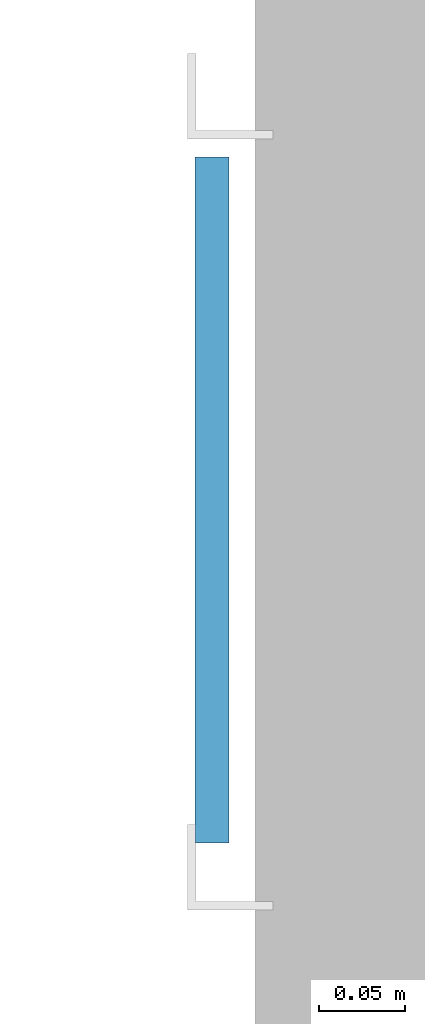
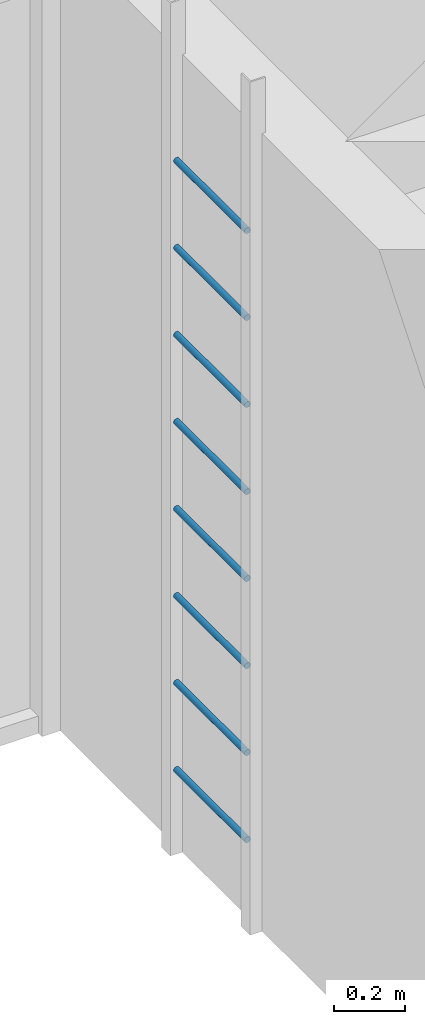
# One storey, part 7 of 15: 8 members.
"""IFC4 building model written with IfcOpenShell, lengths in metres."""

from ifc_helpers import new_model, si_unit, direction, frame, origin, origin_2d, place, context, subcontext, project, spatial, circle, extrude, material, material_profile, profile_set, type_object, element, save


model = new_model("IFC4")

# Units and contexts
model_context = context("Model", 3, precision=1e-05, world=origin(), true_north=direction((0.0, 1.0)))
body_context = subcontext(model_context, "Body", "Model", "MODEL_VIEW")
ifc_project = project(units=[si_unit("LENGTHUNIT", "METRE"), si_unit("AREAUNIT", "SQUARE_METRE"), si_unit("VOLUMEUNIT", "CUBIC_METRE"), si_unit("PLANEANGLEUNIT", "RADIAN"), si_unit("MASSUNIT", "GRAM", prefix="KILO")], contexts=[model_context])

# Site, building, storey
site_placement = place(None, origin())
site = spatial("IfcSite", under=ifc_project, at=site_placement, CompositionType="ELEMENT")
building_placement = place(site_placement, origin())
building = spatial("IfcBuilding", under=site, at=building_placement, Name="Ridgestep Commons", CompositionType="ELEMENT")
storey_placement = place(building_placement, frame((0.0, 0.0, 45.0)))
storey = spatial("IfcBuildingStorey", under=building, at=storey_placement, Name="L15", CompositionType="ELEMENT", Elevation=45.0)

# Members
ifc_material = material(Name="Structural steel S355JR", Category="steel")
ifc_material_profile = material_profile(ifc_material, circle(Radius=0.010009765625, at=origin_2d()), Name="Round bar 20")
ifc_profile_set = profile_set([ifc_material_profile], Name="Structural steel S355JR")
member_type = type_object("IfcMemberType", Name="Core ladder rung 20", PredefinedType="STRINGER", material=ifc_profile_set)
for number, where, z_axis, x_axis, name in (
    (1, (93.0, 21.64990234375, 0.300048828125), (0.0, 1.0, 0.0), (-1.0, 0.0, 0.0), "Ladder rung A5C.1"),
    (2, (93.0, 21.64990234375, 0.60009765625), (0.0, 1.0, 0.0), (-1.0, 0.0, 0.0), "Ladder rung A5C.2"),
    (3, (93.0, 21.64990234375, 0.89990234375), (0.0, 1.0, 0.0), (-1.0, 0.0, 0.0), "Ladder rung A5C.3"),
    (4, (93.0, 21.64990234375, 1.199951171875), (0.0, 1.0, 0.0), (-1.0, 0.0, 0.0), "Ladder rung A5C.4"),
    (5, (93.0, 21.64990234375, 1.5), (0.0, 1.0, 0.0), (-1.0, 0.0, 0.0), "Ladder rung A5C.5"),
    (6, (93.0, 21.64990234375, 1.800048828125), (0.0, 1.0, 0.0), (-1.0, 0.0, 0.0), "Ladder rung A5C.6"),
    (7, (93.0, 21.64990234375, 2.10009765625), (0.0, 1.0, 0.0), (-1.0, 0.0, 0.0), "Ladder rung A5C.7"),
    (8, (93.0, 21.64990234375, 2.39990234375), (0.0, 1.0, 0.0), (-1.0, 0.0, 0.0), "Ladder rung A5C.8"),
):
    element("IfcMember", number, at=place(storey_placement, frame(where, z_axis=z_axis, x_axis=x_axis)), inside=storey, type_object=member_type, Name=name, PredefinedType="STRINGER", context=body_context, shape_type="SweptSolid", body=[
        extrude(circle(Radius=0.010009765625, at=origin_2d()), origin(), (0.0, 0.0, 1.0), 0.400146484375),
    ])

save(model, "model.ifc")
